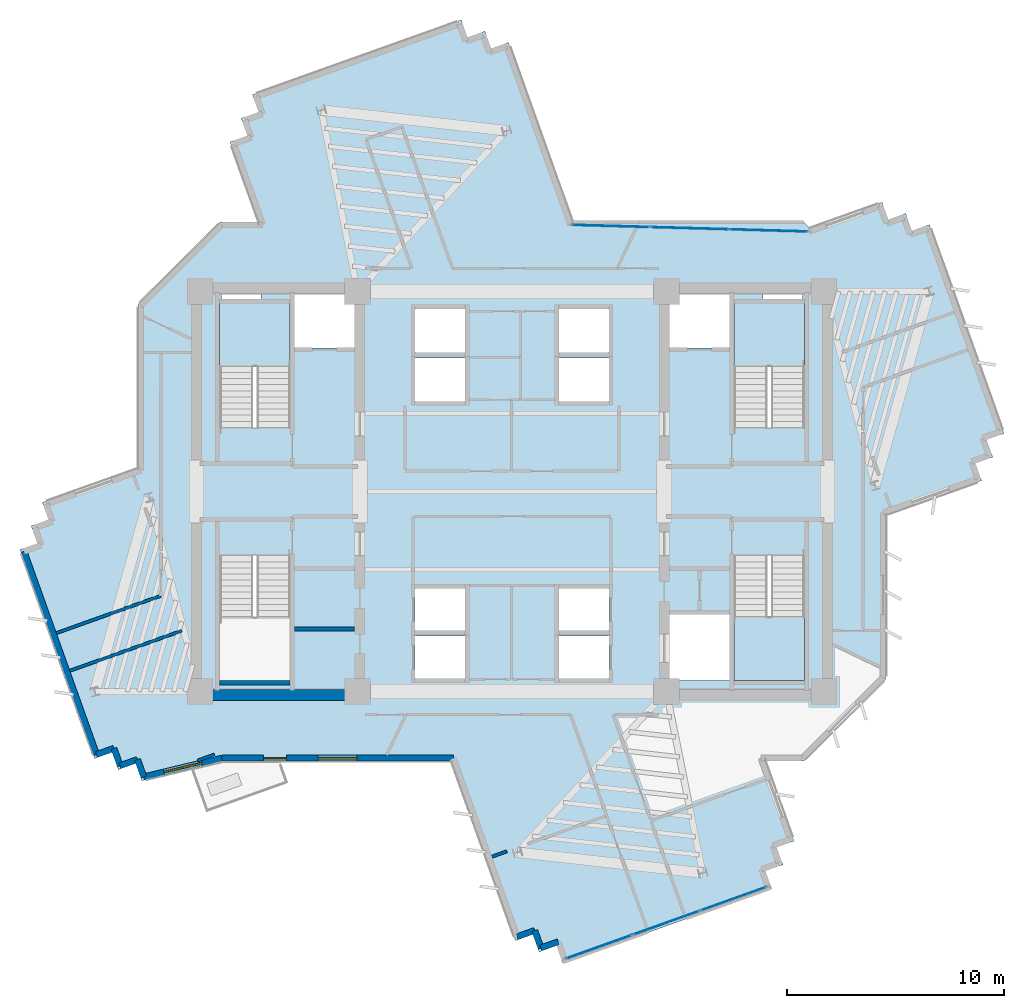
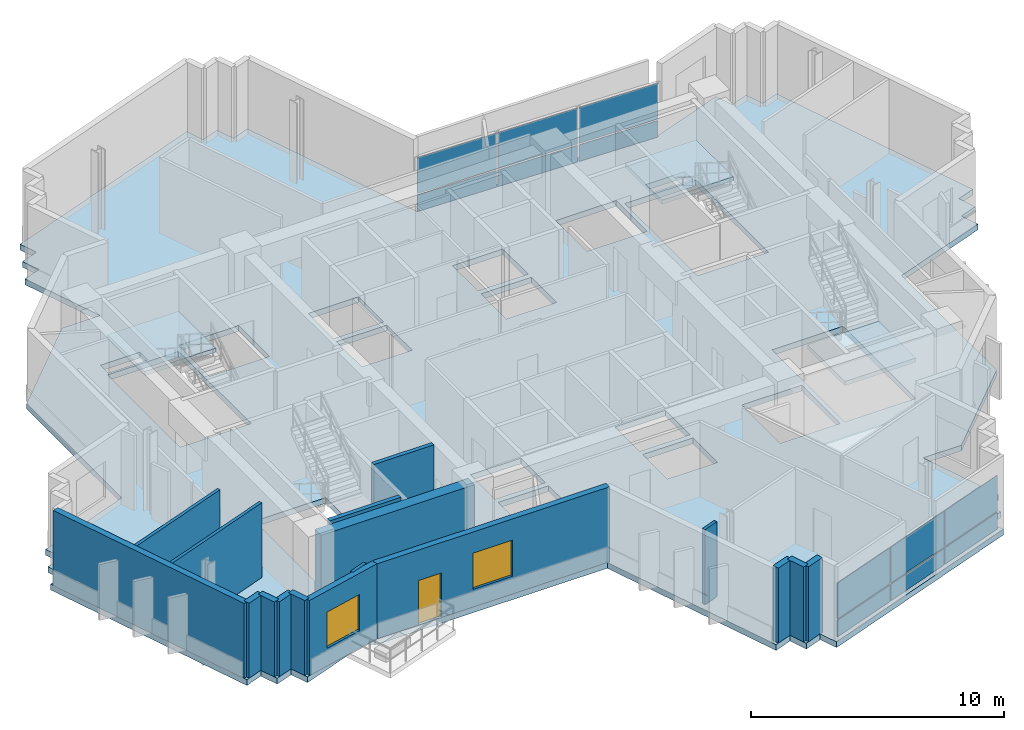
# One storey, part 5 of 13: 17 walls, 12 plates, 4 slabs, 2 windows, 1 door, 3 openings, 5 elements without a shape of their own.
"""IFC4 building model written with IfcOpenShell, lengths in metres."""

from ifc_helpers import new_model, si_unit, direction, frame, frame_2d, origin, origin_2d, place, context, subcontext, project, spatial, polyline, rectangle, outline, extrude, source, transform, mapped, material, layer, layer_set, type_object, element, fill, aggregate, save


model = new_model("IFC4")

# Units and contexts
model_context = context("Model", 3, precision=1e-05, world=origin(), true_north=direction((0.0, 1.0)))
body_context = subcontext(model_context, "Body", "Model", "MODEL_VIEW")
ifc_project = project(units=[si_unit("LENGTHUNIT", "METRE"), si_unit("AREAUNIT", "SQUARE_METRE"), si_unit("VOLUMEUNIT", "CUBIC_METRE"), si_unit("PLANEANGLEUNIT", "RADIAN"), si_unit("MASSUNIT", "GRAM", prefix="KILO")], contexts=[model_context])

# Site, building, storey
site_placement = place(None, origin())
site = spatial("IfcSite", under=ifc_project, at=site_placement, CompositionType="ELEMENT")
building_placement = place(site_placement, origin())
building = spatial("IfcBuilding", under=site, at=building_placement, Name="Zahravan Cultural Tower", CompositionType="ELEMENT")
storey_placement = place(building_placement, frame((0.0, 0.0, 221.39990234375)))
storey = spatial("IfcBuildingStorey", under=building, at=storey_placement, Name="L52", CompositionType="ELEMENT", Elevation=221.39990234375)

# Slab
ifc_material_1 = material(Name="Concrete C45/55", Category="concrete")
ifc_layer_1 = layer(ifc_material_1, 0.280029296875)
ifc_layer_set_1 = layer_set([ifc_layer_1], Name="Concrete C45/55")
slab_type_1 = type_object("IfcSlabType", Name="SL-LIB-280", PredefinedType="FLOOR", material=ifc_layer_set_1)
slab_1_placement = place(storey_placement, frame((0.0, 0.0, -0.27978515625)))
element("IfcSlab", 1, at=slab_1_placement, inside=storey, type_object=slab_type_1, Name="L52 Structural Floor Slab", PredefinedType="FLOOR", context=body_context, shape_type="SweptSolid", body=[
    extrude(outline(polyline([(49.68701171875, 39.113037109375), (49.39990234375, 39.39990234375), (38.78955078125, 39.39990234375), (35.840576171875, 47.65087890625), (35.040283203125, 47.364990234375), (34.754150390625, 48.165283203125), (33.95361328125, 47.87939453125), (33.667724609375, 48.6796875), (24.062744140625, 45.246826171875), (24.3486328125, 44.446533203125), (23.54833984375, 44.160400390625), (23.83447265625, 43.360107421875), (23.033935546875, 43.073974609375), (24.34716796875, 39.39990234375), (22.60009765625, 39.39990234375), (18.800048828125, 35.60009765625), (18.800048828125, 28.073974609375), (14.4072265625, 26.504150390625), (14.693359375, 25.70361328125), (13.89306640625, 25.41748046875), (14.178955078125, 24.6171875), (13.378662109375, 24.3310546875), (16.811279296875, 14.72607421875), (17.61181640625, 15.01220703125), (17.89794921875, 14.2119140625), (18.6982421875, 14.497802734375), (18.984375, 13.697509765625), (22.31298828125, 14.886962890625), (22.60009765625, 14.60009765625), (33.21044921875, 14.60009765625), (36.159423828125, 6.34912109375), (36.959716796875, 6.635009765625), (37.245849609375, 5.834716796875), (38.04638671875, 6.12060546875), (38.332275390625, 5.3203125), (47.937255859375, 8.753173828125), (47.6513671875, 9.553466796875), (48.45166015625, 9.839599609375), (48.16552734375, 10.639892578125), (48.966064453125, 10.926025390625), (47.65283203125, 14.60009765625), (49.39990234375, 14.60009765625), (53.199951171875, 18.39990234375), (53.199951171875, 25.926025390625), (57.5927734375, 27.495849609375), (57.306640625, 28.29638671875), (58.10693359375, 28.58251953125), (57.821044921875, 29.3828125), (58.621337890625, 29.6689453125), (55.188720703125, 39.27392578125), (54.38818359375, 38.98779296875), (54.10205078125, 39.7880859375), (53.3017578125, 39.502197265625), (53.015625, 40.302490234375), (49.68701171875, 39.113037109375)]), holes=[polyline([(22.550048828125, 29.949951171875), (22.550048828125, 35.699951171875), (25.800048828125, 35.699951171875), (25.800048828125, 29.949951171875), (22.550048828125, 29.949951171875)]), polyline([(22.550048828125, 18.300048828125), (22.550048828125, 24.050048828125), (25.800048828125, 24.050048828125), (25.800048828125, 18.300048828125), (22.550048828125, 18.300048828125)]), polyline([(46.199951171875, 29.949951171875), (46.199951171875, 35.699951171875), (49.449951171875, 35.699951171875), (49.449951171875, 29.949951171875), (46.199951171875, 29.949951171875)]), polyline([(46.199951171875, 18.300048828125), (46.199951171875, 24.050048828125), (49.449951171875, 24.050048828125), (49.449951171875, 18.300048828125), (46.199951171875, 18.300048828125)]), polyline([(26.0, 33.60009765625), (26.0, 36.050048828125), (28.75, 36.050048828125), (28.75, 33.60009765625), (26.0, 33.60009765625)]), polyline([(43.25, 33.60009765625), (43.25, 36.050048828125), (46.0, 36.050048828125), (46.0, 33.60009765625), (43.25, 33.60009765625)]), polyline([(43.25, 18.300048828125), (43.25, 21.35009765625), (46.0, 21.35009765625), (46.0, 18.300048828125), (43.25, 18.300048828125)]), polyline([(31.550048828125, 33.39990234375), (31.550048828125, 35.39990234375), (33.85009765625, 35.39990234375), (33.85009765625, 33.39990234375), (31.550048828125, 33.39990234375)]), polyline([(31.550048828125, 31.14990234375), (31.550048828125, 33.14990234375), (33.85009765625, 33.14990234375), (33.85009765625, 31.14990234375), (31.550048828125, 31.14990234375)]), polyline([(38.14990234375, 33.39990234375), (38.14990234375, 35.39990234375), (40.449951171875, 35.39990234375), (40.449951171875, 33.39990234375), (38.14990234375, 33.39990234375)]), polyline([(38.14990234375, 31.14990234375), (38.14990234375, 33.14990234375), (40.449951171875, 33.14990234375), (40.449951171875, 31.14990234375), (38.14990234375, 31.14990234375)]), polyline([(31.550048828125, 20.60009765625), (31.550048828125, 22.550048828125), (33.85009765625, 22.550048828125), (33.85009765625, 20.60009765625), (31.550048828125, 20.60009765625)]), polyline([(31.550048828125, 18.39990234375), (31.550048828125, 20.35009765625), (33.85009765625, 20.35009765625), (33.85009765625, 18.39990234375), (31.550048828125, 18.39990234375)]), polyline([(38.14990234375, 20.60009765625), (38.14990234375, 22.550048828125), (40.449951171875, 22.550048828125), (40.449951171875, 20.60009765625), (38.14990234375, 20.60009765625)]), polyline([(38.14990234375, 18.39990234375), (38.14990234375, 20.35009765625), (40.449951171875, 20.35009765625), (40.449951171875, 18.39990234375), (38.14990234375, 18.39990234375)]), polyline([(22.64990234375, 35.800048828125), (22.64990234375, 36.419921875), (24.449951171875, 36.419921875), (24.449951171875, 35.800048828125), (22.64990234375, 35.800048828125)]), polyline([(47.550048828125, 35.800048828125), (47.550048828125, 36.419921875), (49.35009765625, 36.419921875), (49.35009765625, 35.800048828125), (47.550048828125, 35.800048828125)])]), origin(), (0.0, 0.0, 1.0), 0.27978515625),
])

# Stair, slab
stair_type = type_object("IfcStairType", Name="STR-DL-1550-390", PredefinedType="HALF_TURN_STAIR", material=ifc_material_1)
stair_1_placement = place(storey_placement, origin())
stair_1 = element("IfcStair", 2, at=stair_1_placement, inside=storey, type_object=stair_type, Name="L52 West Core North Exit Stair ST-W1", PredefinedType="HALF_TURN_STAIR")
ifc_layer_2 = layer(ifc_material_1, 0.199951171875)
ifc_layer_set_2 = layer_set([ifc_layer_2], Name="Concrete C45/55")
slab_type_2 = type_object("IfcSlabType", Name="SL-STAIR-LND200", PredefinedType="LANDING", material=ifc_layer_set_2)
slab_2_placement = place(storey_placement, frame((0.0, 0.0, 1.75)))
slab_2 = element("IfcSlab", 3, at=slab_2_placement, type_object=slab_type_2, Name="ST-W1 landing 1", PredefinedType="LANDING", context=body_context, shape_type="SweptSolid", body=[
    extrude(outline(polyline([(25.800048828125, 32.75), (25.800048828125, 35.699951171875), (22.550048828125, 35.699951171875), (22.550048828125, 32.75), (25.800048828125, 32.75)])), origin(), (0.0, 0.0, 1.0), 0.2001953125),
])
aggregate(stair_1, [slab_2])

stair_2_placement = place(storey_placement, origin())
stair_2 = element("IfcStair", 4, at=stair_2_placement, inside=storey, type_object=stair_type, Name="L52 East Core North Exit Stair ST-E1", PredefinedType="HALF_TURN_STAIR")
slab_3_placement = place(storey_placement, frame((0.0, 0.0, 1.75)))
slab_3 = element("IfcSlab", 5, at=slab_3_placement, type_object=slab_type_2, Name="ST-E1 landing 1", PredefinedType="LANDING", context=body_context, shape_type="SweptSolid", body=[
    extrude(outline(polyline([(49.449951171875, 32.75), (49.449951171875, 35.699951171875), (46.199951171875, 35.699951171875), (46.199951171875, 32.75), (49.449951171875, 32.75)])), origin(), (0.0, 0.0, 1.0), 0.2001953125),
])
aggregate(stair_2, [slab_3])

stair_3_placement = place(storey_placement, origin())
stair_3 = element("IfcStair", 6, at=stair_3_placement, inside=storey, type_object=stair_type, Name="L52 East Core South Exit Stair ST-E2", PredefinedType="HALF_TURN_STAIR")
slab_4_placement = place(storey_placement, frame((0.0, 0.0, 1.75)))
slab_4 = element("IfcSlab", 7, at=slab_4_placement, type_object=slab_type_2, Name="ST-E2 landing 1", PredefinedType="LANDING", context=body_context, shape_type="SweptSolid", body=[
    extrude(outline(polyline([(46.199951171875, 21.25), (46.199951171875, 18.300048828125), (49.449951171875, 18.300048828125), (49.449951171875, 21.25), (46.199951171875, 21.25)])), origin(), (0.0, 0.0, 1.0), 0.2001953125),
])
aggregate(stair_3, [slab_4])

# Curtain wall, plates
ifc_material_2 = material(Name="Anodised bronze-aluminium mullion", Category="aluminium")
ifc_layer_3 = layer(ifc_material_2, 0.199951171875)
ifc_layer_set_3 = layer_set([ifc_layer_3], Name="Anodised bronze-aluminium mullion")
curtain_wall_type_1 = type_object("IfcCurtainWallType", Name="CW-SYS-2", PredefinedType="USERDEFINED", material=ifc_layer_set_3)
curtain_wall_1_placement = place(storey_placement, origin())
curtain_wall_1 = element("IfcCurtainWall", 8, at=curtain_wall_1_placement, inside=storey, type_object=curtain_wall_type_1, Name="L52 Recessed Curtain Wall CW-2.1", ObjectType="RECESSED GLAZING", PredefinedType="USERDEFINED")
ifc_material_3 = material(Name="Low-E solar-control double glazing", Category="glass")
ifc_layer_4 = layer(ifc_material_3, 0.030029296875)
ifc_layer_set_4 = layer_set([ifc_layer_4], Name="Low-E solar-control double glazing")
plate_type_1 = type_object("IfcPlateType", Name="CWP-CW-2", PredefinedType="CURTAIN_PANEL", material=ifc_layer_set_4)
shared_shape_1 = source(origin(), body_context, "Body", "SweptSolid", [
    extrude(rectangle(XDim=3.194091796875, YDim=0.030029296875, at=origin_2d()), origin(), (0.0, 0.0, 1.0), 0.78759765625),
])
plate_1_placement = place(storey_placement, frame((46.183837890625, 8.275146484375, 0.074951171875), z_axis=(0.0, 0.0, 1.0), x_axis=(-0.941668907727, -0.336540737832, 0.0)))
plate_1 = element("IfcPlate", 9, at=plate_1_placement, type_object=plate_type_1, Name="CW-2 panel 1.1", PredefinedType="CURTAIN_PANEL", context=body_context, shape_type="MappedRepresentation", body=[
    mapped(shared_shape_1, transform((0.0, 0.0, 0.0), x_axis=(1.0, 0.0, 0.0), y_axis=(0.0, 1.0, 0.0), z_axis=(0.0, 0.0, 1.0), scale=1.0)),
])
plate_2_placement = place(storey_placement, frame((39.991455078125, 6.06201171875, 0.074951171875), z_axis=(0.0, 0.0, 1.0), x_axis=(-0.941668907727, -0.336540737832, 0.0)))
plate_2 = element("IfcPlate", 10, at=plate_2_placement, type_object=plate_type_1, Name="CW-2 panel 3.1", PredefinedType="CURTAIN_PANEL", context=body_context, shape_type="MappedRepresentation", body=[
    mapped(shared_shape_1, transform((0.0, 0.0, 0.0), x_axis=(1.0, 0.0, 0.0), y_axis=(0.0, 1.0, 0.0), z_axis=(0.0, 0.0, 1.0), scale=1.0)),
])
shared_shape_2 = source(origin(), body_context, "Body", "SweptSolid", [
    extrude(rectangle(XDim=3.231689453125, YDim=0.030029296875, at=origin_2d()), origin(), (0.0, 0.0, 1.0), 0.78759765625),
])
plate_3_placement = place(storey_placement, frame((43.087646484375, 7.16845703125, 0.074951171875), z_axis=(0.0, 0.0, 1.0), x_axis=(-0.941668907727, -0.336540737832, 0.0)))
plate_3 = element("IfcPlate", 11, at=plate_3_placement, type_object=plate_type_1, Name="CW-2 panel 2.1", PredefinedType="CURTAIN_PANEL", context=body_context, shape_type="MappedRepresentation", body=[
    mapped(shared_shape_2, transform((0.0, 0.0, 0.0), x_axis=(1.0, 0.0, 0.0), y_axis=(0.0, 1.0, 0.0), z_axis=(0.0, 0.0, 1.0), scale=1.0)),
])
shared_shape_3 = source(origin(), body_context, "Body", "SweptSolid", [
    extrude(rectangle(XDim=3.194091796875, YDim=0.030029296875, at=origin_2d()), origin(), (0.0, 0.0, 1.0), 1.7275390625),
])
plate_4_placement = place(storey_placement, frame((46.183837890625, 8.275146484375, 0.9375), z_axis=(0.0, 0.0, 1.0), x_axis=(-0.941668907727, -0.336540737832, 0.0)))
plate_4 = element("IfcPlate", 12, at=plate_4_placement, type_object=plate_type_1, Name="CW-2 panel 1.2", PredefinedType="CURTAIN_PANEL", context=body_context, shape_type="MappedRepresentation", body=[
    mapped(shared_shape_3, transform((0.0, 0.0, 0.0), x_axis=(1.0, 0.0, 0.0), y_axis=(0.0, 1.0, 0.0), z_axis=(0.0, 0.0, 1.0), scale=1.0)),
])
plate_5_placement = place(storey_placement, frame((39.991455078125, 6.06201171875, 0.9375), z_axis=(0.0, 0.0, 1.0), x_axis=(-0.941668907727, -0.336540737832, 0.0)))
plate_5 = element("IfcPlate", 13, at=plate_5_placement, type_object=plate_type_1, Name="CW-2 panel 3.2", PredefinedType="CURTAIN_PANEL", context=body_context, shape_type="MappedRepresentation", body=[
    mapped(shared_shape_3, transform((0.0, 0.0, 0.0), x_axis=(1.0, 0.0, 0.0), y_axis=(0.0, 1.0, 0.0), z_axis=(0.0, 0.0, 1.0), scale=1.0)),
])
shared_shape_4 = source(origin(), body_context, "Body", "SweptSolid", [
    extrude(rectangle(XDim=3.231689453125, YDim=0.030029296875, at=origin_2d()), origin(), (0.0, 0.0, 1.0), 1.7275390625),
])
plate_6_placement = place(storey_placement, frame((43.087646484375, 7.16845703125, 0.9375), z_axis=(0.0, 0.0, 1.0), x_axis=(-0.941668907727, -0.336540737832, 0.0)))
plate_6 = element("IfcPlate", 14, at=plate_6_placement, type_object=plate_type_1, Name="CW-2 panel 2.2", PredefinedType="CURTAIN_PANEL", context=body_context, shape_type="MappedRepresentation", body=[
    mapped(shared_shape_4, transform((0.0, 0.0, 0.0), x_axis=(1.0, 0.0, 0.0), y_axis=(0.0, 1.0, 0.0), z_axis=(0.0, 0.0, 1.0), scale=1.0)),
])
aggregate(curtain_wall_1, [plate_1, plate_4, plate_3, plate_6, plate_2, plate_5])

ifc_layer_5 = layer(ifc_material_2, 0.179931640625)
ifc_layer_set_5 = layer_set([ifc_layer_5], Name="Anodised bronze-aluminium mullion")
curtain_wall_type_2 = type_object("IfcCurtainWallType", Name="CW-SYS-3", PredefinedType="USERDEFINED", material=ifc_layer_set_5)
curtain_wall_2_placement = place(storey_placement, origin())
curtain_wall_2 = element("IfcCurtainWall", 15, at=curtain_wall_2_placement, inside=storey, type_object=curtain_wall_type_2, Name="L52 Recessed Curtain Wall CW-3.2", ObjectType="RECESSED GLAZING", PredefinedType="USERDEFINED")
ifc_layer_6 = layer(ifc_material_3, 0.028076171875)
ifc_layer_set_6 = layer_set([ifc_layer_6], Name="Low-E solar-control double glazing")
plate_type_2 = type_object("IfcPlateType", Name="CWP-CW-3", PredefinedType="CURTAIN_PANEL", material=ifc_layer_set_6)
shared_shape_5 = source(origin(), body_context, "Body", "SweptSolid", [
    extrude(rectangle(XDim=3.5498046875, YDim=0.028076171875, at=origin_2d()), origin(), (0.0, 0.0, 1.0), 0.794921875),
])
plate_7_placement = place(storey_placement, frame((40.534912109375, 39.2080078125, 0.070068359375), z_axis=(0.0, 0.0, 1.0), x_axis=(0.999603557974, -0.028155405977, 0.0)))
plate_7 = element("IfcPlate", 16, at=plate_7_placement, type_object=plate_type_2, Name="CW-3 panel 1.1", PredefinedType="CURTAIN_PANEL", context=body_context, shape_type="MappedRepresentation", body=[
    mapped(shared_shape_5, transform((0.0, 0.0, 0.0), x_axis=(1.0, 0.0, 0.0), y_axis=(0.0, 1.0, 0.0), z_axis=(0.0, 0.0, 1.0), scale=1.0)),
])
plate_8_placement = place(storey_placement, frame((47.806640625, 39.003173828125, 0.070068359375), z_axis=(0.0, 0.0, 1.0), x_axis=(0.999603557974, -0.028155405977, 0.0)))
plate_8 = element("IfcPlate", 17, at=plate_8_placement, type_object=plate_type_2, Name="CW-3 panel 3.1", PredefinedType="CURTAIN_PANEL", context=body_context, shape_type="MappedRepresentation", body=[
    mapped(shared_shape_5, transform((0.0, 0.0, 0.0), x_axis=(1.0, 0.0, 0.0), y_axis=(0.0, 1.0, 0.0), z_axis=(0.0, 0.0, 1.0), scale=1.0)),
])
shared_shape_6 = source(origin(), body_context, "Body", "SweptSolid", [
    extrude(rectangle(XDim=3.5498046875, YDim=0.028076171875, at=origin_2d()), origin(), (0.0, 0.0, 1.0), 1.735107421875),
])
plate_9_placement = place(storey_placement, frame((40.534912109375, 39.2080078125, 0.93505859375), z_axis=(0.0, 0.0, 1.0), x_axis=(0.999603557974, -0.028155405977, 0.0)))
plate_9 = element("IfcPlate", 18, at=plate_9_placement, type_object=plate_type_2, Name="CW-3 panel 1.2", PredefinedType="CURTAIN_PANEL", context=body_context, shape_type="MappedRepresentation", body=[
    mapped(shared_shape_6, transform((0.0, 0.0, 0.0), x_axis=(1.0, 0.0, 0.0), y_axis=(0.0, 1.0, 0.0), z_axis=(0.0, 0.0, 1.0), scale=1.0)),
])
plate_10_placement = place(storey_placement, frame((47.806640625, 39.003173828125, 0.93505859375), z_axis=(0.0, 0.0, 1.0), x_axis=(0.999603557974, -0.028155405977, 0.0)))
plate_10 = element("IfcPlate", 19, at=plate_10_placement, type_object=plate_type_2, Name="CW-3 panel 3.2", PredefinedType="CURTAIN_PANEL", context=body_context, shape_type="MappedRepresentation", body=[
    mapped(shared_shape_6, transform((0.0, 0.0, 0.0), x_axis=(1.0, 0.0, 0.0), y_axis=(0.0, 1.0, 0.0), z_axis=(0.0, 0.0, 1.0), scale=1.0)),
])
shared_shape_7 = source(origin(), body_context, "Body", "SweptSolid", [
    extrude(rectangle(XDim=3.584716796875, YDim=0.028076171875, at=origin_2d()), origin(), (0.0, 0.0, 1.0), 0.794921875),
])
plate_11_placement = place(storey_placement, frame((44.1708984375, 39.105712890625, 0.070068359375), z_axis=(0.0, 0.0, 1.0), x_axis=(0.999603557974, -0.028155405977, 0.0)))
plate_11 = element("IfcPlate", 20, at=plate_11_placement, type_object=plate_type_2, Name="CW-3 panel 2.1", PredefinedType="CURTAIN_PANEL", context=body_context, shape_type="MappedRepresentation", body=[
    mapped(shared_shape_7, transform((0.0, 0.0, 0.0), x_axis=(1.0, 0.0, 0.0), y_axis=(0.0, 1.0, 0.0), z_axis=(0.0, 0.0, 1.0), scale=1.0)),
])
shared_shape_8 = source(origin(), body_context, "Body", "SweptSolid", [
    extrude(rectangle(XDim=3.584716796875, YDim=0.028076171875, at=origin_2d()), origin(), (0.0, 0.0, 1.0), 1.735107421875),
])
plate_12_placement = place(storey_placement, frame((44.1708984375, 39.105712890625, 0.93505859375), z_axis=(0.0, 0.0, 1.0), x_axis=(0.999603557974, -0.028155405977, 0.0)))
plate_12 = element("IfcPlate", 21, at=plate_12_placement, type_object=plate_type_2, Name="CW-3 panel 2.2", PredefinedType="CURTAIN_PANEL", context=body_context, shape_type="MappedRepresentation", body=[
    mapped(shared_shape_8, transform((0.0, 0.0, 0.0), x_axis=(1.0, 0.0, 0.0), y_axis=(0.0, 1.0, 0.0), z_axis=(0.0, 0.0, 1.0), scale=1.0)),
])
aggregate(curtain_wall_2, [plate_7, plate_9, plate_11, plate_12, plate_8, plate_10])

# Wall, openings, door, window
ifc_material_4 = material(Name="Precast concrete C40/50", Category="concrete")
ifc_layer_7 = layer(ifc_material_4, 0.280029296875)
ifc_layer_set_7 = layer_set([ifc_layer_7], Name="Precast concrete C40/50")
wall_type_1 = type_object("IfcWallType", Name="EW-TC-280", PredefinedType="SOLIDWALL", material=ifc_layer_set_7)
wall_1_placement = place(storey_placement, frame((33.30908203125, 14.739990234375, 0.0), z_axis=(0.0, 0.0, 1.0), x_axis=(-1.0, 0.0, 0.0)))
wall_1 = element("IfcWall", 22, at=wall_1_placement, inside=storey, type_object=wall_type_1, Name="L52 Exterior Masonry Frame Wall 25", PredefinedType="SOLIDWALL", context=body_context, shape_type="SweptSolid", body=[
    extrude(rectangle(XDim=10.651123046875, YDim=0.280029296875, at=frame_2d((5.32568359375, 0.0))), origin(), (0.0, 0.0, 1.0), 3.6201171875),
])
opening_1_placement = place(wall_1_placement, frame((7.680908203125, 0.0, 0.0)))
opening_1 = element("IfcOpeningElement", 23, at=opening_1_placement, cuts=wall_1, Name="Opening D-L52-TR-SW", PredefinedType="OPENING", context=body_context, shape_type="SweptSolid", body=[
    extrude(rectangle(XDim=1.050048828125, YDim=2.14990234375, at=frame_2d((0.52490234375, 1.074951171875))), frame((0.0, 0.14990234375, 0.0), z_axis=(0.0, -1.0, 0.0), x_axis=(1.0, 0.0, 0.0)), (0.0, 0.0, 1.0), 0.300048828125),
])
opening_2_placement = place(wall_1_placement, frame((4.426025390625, 0.0, 0.85009765625)))
opening_2 = element("IfcOpeningElement", 24, at=opening_2_placement, cuts=wall_1, Name="Opening WN-02", PredefinedType="OPENING", context=body_context, shape_type="SweptSolid", body=[
    extrude(rectangle(XDim=1.800048828125, YDim=1.75, at=frame_2d((0.89990234375, 0.875))), frame((0.0, 0.14990234375, 0.0), z_axis=(0.0, -1.0, 0.0), x_axis=(1.0, 0.0, 0.0)), (0.0, 0.0, 1.0), 0.300048828125),
])
door_type = type_object("IfcDoorType", Name="DR-TERR-1050", OperationType="NOTDEFINED", PredefinedType="DOOR", material=ifc_material_2)
shared_shape_9 = source(origin(), body_context, "Body", "SweptSolid", [
    extrude(rectangle(XDim=1.050048828125, YDim=2.14990234375, at=frame_2d((0.52490234375, 1.074951171875))), frame((0.0, 0.02490234375, 0.0), z_axis=(0.0, -1.0, 0.0), x_axis=(1.0, 0.0, 0.0)), (0.0, 0.0, 1.0), 0.050048828125),
])
door_placement = place(opening_1_placement, origin())
door = element("IfcDoor", 25, at=door_placement, inside=storey, type_object=door_type, Name="L52 Terrace Access Door SW", OperationType="SINGLE_SWING_LEFT", OverallHeight=2.14990234375, OverallWidth=1.050048828125, PredefinedType="DOOR", context=body_context, shape_type="MappedRepresentation", body=[
    mapped(shared_shape_9, transform((0.0, 0.0, 0.0), x_axis=(1.0, 0.0, 0.0), y_axis=(0.0, 1.0, 0.0), z_axis=(0.0, 0.0, 1.0), scale=1.0)),
])
fill(opening_1, door)
window_type = type_object("IfcWindowType", Name="WN-REC-1800X1750", PartitioningType="DOUBLE_PANEL_VERTICAL", PredefinedType="WINDOW", material=ifc_material_3)
shared_shape_10 = source(origin(), body_context, "Body", "SweptSolid", [
    extrude(rectangle(XDim=1.800048828125, YDim=1.75, at=frame_2d((0.89990234375, 0.875))), frame((0.0, 0.030029296875, 0.0), z_axis=(0.0, -1.0, 0.0), x_axis=(1.0, 0.0, 0.0)), (0.0, 0.0, 1.0), 0.06005859375),
])
window_1_placement = place(opening_2_placement, origin())
window_1 = element("IfcWindow", 26, at=window_1_placement, inside=storey, type_object=window_type, Name="L52 Recessed Solar Window 06", OverallHeight=1.75, OverallWidth=1.800048828125, PartitioningType="DOUBLE_PANEL_VERTICAL", PredefinedType="WINDOW", context=body_context, shape_type="MappedRepresentation", body=[
    mapped(shared_shape_10, transform((0.0, 0.0, 0.0), x_axis=(1.0, 0.0, 0.0), y_axis=(0.0, 1.0, 0.0), z_axis=(0.0, 0.0, 1.0), scale=1.0)),
])
fill(opening_2, window_1)

# Wall, opening, window
wall_2_placement = place(storey_placement, frame((22.657958984375, 14.739990234375, 0.0), z_axis=(0.0, 0.0, 1.0), x_axis=(-0.972237013355, -0.233998268929, 0.0)))
wall_2 = element("IfcWall", 27, at=wall_2_placement, inside=storey, type_object=wall_type_1, Name="L52 Exterior Masonry Frame Wall 26", PredefinedType="SOLIDWALL", context=body_context, shape_type="SweptSolid", body=[
    extrude(rectangle(XDim=3.69140625, YDim=0.280029296875, at=frame_2d((1.845703125, 0.0))), origin(), (0.0, 0.0, 1.0), 3.6201171875),
])
opening_3_placement = place(wall_2_placement, frame((0.946044921875, 0.0, 0.85009765625)))
opening_3 = element("IfcOpeningElement", 28, at=opening_3_placement, cuts=wall_2, Name="Opening WN-02", PredefinedType="OPENING", context=body_context, shape_type="SweptSolid", body=[
    extrude(rectangle(XDim=1.800048828125, YDim=1.75, at=frame_2d((0.89990234375, 0.875))), frame((0.0, 0.14990234375, 0.0), z_axis=(0.0, -1.0, 0.0), x_axis=(1.0, 0.0, 0.0)), (0.0, 0.0, 1.0), 0.300048828125),
])
window_2_placement = place(opening_3_placement, origin())
window_2 = element("IfcWindow", 29, at=window_2_placement, inside=storey, type_object=window_type, Name="L52 Recessed Solar Window 07", OverallHeight=1.75, OverallWidth=1.800048828125, PartitioningType="DOUBLE_PANEL_VERTICAL", PredefinedType="WINDOW", context=body_context, shape_type="MappedRepresentation", body=[
    mapped(shared_shape_10, transform((0.0, 0.0, 0.0), x_axis=(1.0, 0.0, 0.0), y_axis=(0.0, 1.0, 0.0), z_axis=(0.0, 0.0, 1.0), scale=1.0)),
])
fill(opening_3, window_2)

# Walls
ifc_material_5 = material(Name="Concrete C60/75", Category="concrete")
ifc_layer_8 = layer(ifc_material_5, 0.5)
ifc_layer_set_8 = layer_set([ifc_layer_8], Name="Concrete C60/75")
wall_type_2 = type_object("IfcWallType", Name="CW-SHEAR-500-C60", PredefinedType="SHEAR", material=ifc_layer_set_8)
shared_shape_11 = source(origin(), body_context, "Body", "SweptSolid", [
    extrude(rectangle(XDim=7.0, YDim=0.5, at=frame_2d((3.5, 0.0))), origin(), (0.0, 0.0, 1.0), 3.6201171875),
])
wall_3_placement = place(storey_placement, frame((21.75, 17.64990234375, 0.0), z_axis=(0.0, 0.0, 1.0), x_axis=(1.0, 0.0, 0.0)))
element("IfcWall", 30, at=wall_3_placement, inside=storey, type_object=wall_type_2, Name="L52 Core Shear Wall CW-W-S-L52", PredefinedType="SHEAR", context=body_context, shape_type="MappedRepresentation", body=[
    mapped(shared_shape_11, transform((0.0, 0.0, 0.0), x_axis=(1.0, 0.0, 0.0), y_axis=(0.0, 1.0, 0.0), z_axis=(0.0, 0.0, 1.0), scale=1.0)),
])
shared_shape_12 = source(origin(), body_context, "Body", "SweptSolid", [
    extrude(rectangle(XDim=0.85009765625, YDim=0.280029296875, at=frame_2d((0.425048828125, 0.0))), origin(), (0.0, 0.0, 1.0), 3.6201171875),
])
for number, where, z_axis, x_axis, name in (
    (31, (38.131103515625, 6.2998046875, 0.0), (0.0, 0.0, 1.0), (-0.941657417713, -0.336572886112, 0.0), "L52 Exterior Masonry Frame Wall 21"),
    (32, (17.696533203125, 15.191162109375, 0.0), (0.0, 0.0, 1.0), (-0.941657417713, -0.336572886112, 0.0), "L52 Exterior Masonry Frame Wall 30"),
):
    element("IfcWall", number, at=place(storey_placement, frame(where, z_axis=z_axis, x_axis=x_axis)), inside=storey, type_object=wall_type_1, Name=name, PredefinedType="SOLIDWALL", context=body_context, shape_type="MappedRepresentation", body=[
        mapped(shared_shape_12, transform((0.0, 0.0, 0.0), x_axis=(1.0, 0.0, 0.0), y_axis=(0.0, 1.0, 0.0), z_axis=(0.0, 0.0, 1.0), scale=1.0)),
    ])
shared_shape_13 = source(origin(), body_context, "Body", "SweptSolid", [
    extrude(rectangle(XDim=0.849853515625, YDim=0.280029296875, at=frame_2d((0.4248046875, 0.0))), origin(), (0.0, 0.0, 1.0), 3.6201171875),
])
for number, where, z_axis, x_axis, name in (
    (33, (37.33056640625, 6.013671875, 0.0), (0.0, 0.0, 1.0), (-0.33666392638, 0.941624872587, 0.0), "L52 Exterior Masonry Frame Wall 22"),
    (34, (37.04443359375, 6.81396484375, 0.0), (0.0, 0.0, 1.0), (-0.941624872587, -0.33666392638, 0.0), "L52 Exterior Masonry Frame Wall 23"),
    (35, (18.782958984375, 14.677001953125, 0.0), (0.0, 0.0, 1.0), (-0.941624872587, -0.33666392638, 0.0), "L52 Exterior Masonry Frame Wall 28"),
    (36, (17.982666015625, 14.390869140625, 0.0), (0.0, 0.0, 1.0), (-0.33666392638, 0.941624872587, 0.0), "L52 Exterior Masonry Frame Wall 29"),
):
    element("IfcWall", number, at=place(storey_placement, frame(where, z_axis=z_axis, x_axis=x_axis)), inside=storey, type_object=wall_type_1, Name=name, PredefinedType="SOLIDWALL", context=body_context, shape_type="MappedRepresentation", body=[
        mapped(shared_shape_13, transform((0.0, 0.0, 0.0), x_axis=(1.0, 0.0, 0.0), y_axis=(0.0, 1.0, 0.0), z_axis=(0.0, 0.0, 1.0), scale=1.0)),
    ])
shared_shape_14 = source(origin(), body_context, "Body", "SweptSolid", [
    extrude(rectangle(XDim=9.919921875, YDim=0.280029296875, at=frame_2d((4.9599609375, 0.0))), origin(), (0.0, 0.0, 1.0), 3.6201171875),
])
wall_4_placement = place(storey_placement, frame((16.89599609375, 14.905029296875, 0.0), z_axis=(0.0, 0.0, 1.0), x_axis=(-0.336532833412, 0.941671732631, 0.0)))
element("IfcWall", 37, at=wall_4_placement, inside=storey, type_object=wall_type_1, Name="L52 Exterior Masonry Frame Wall 31", PredefinedType="SOLIDWALL", context=body_context, shape_type="MappedRepresentation", body=[
    mapped(shared_shape_14, transform((0.0, 0.0, 0.0), x_axis=(1.0, 0.0, 0.0), y_axis=(0.0, 1.0, 0.0), z_axis=(0.0, 0.0, 1.0), scale=1.0)),
])
shared_shape_15 = source(origin(), body_context, "Body", "SweptSolid", [
    extrude(rectangle(XDim=0.850341796875, YDim=0.280029296875, at=frame_2d((0.42529296875, 0.0))), origin(), (0.0, 0.0, 1.0), 3.6201171875),
])
wall_5_placement = place(storey_placement, frame((19.069091796875, 13.876220703125, 0.0), z_axis=(0.0, 0.0, 1.0), x_axis=(-0.336481891926, 0.941689936447, 0.0)))
element("IfcWall", 38, at=wall_5_placement, inside=storey, type_object=wall_type_1, Name="L52 Exterior Masonry Frame Wall 27", PredefinedType="SOLIDWALL", context=body_context, shape_type="MappedRepresentation", body=[
    mapped(shared_shape_15, transform((0.0, 0.0, 0.0), x_axis=(1.0, 0.0, 0.0), y_axis=(0.0, 1.0, 0.0), z_axis=(0.0, 0.0, 1.0), scale=1.0)),
])
ifc_layer_9 = layer(ifc_material_1, 0.199951171875)
ifc_layer_set_9 = layer_set([ifc_layer_9], Name="Concrete C45/55")
wall_type_3 = type_object("IfcWallType", Name="W-SHAFT-200", PredefinedType="SOLIDWALL", material=ifc_layer_set_9)
shared_shape_16 = source(origin(), body_context, "Body", "SweptSolid", [
    extrude(rectangle(XDim=3.25, YDim=0.199951171875, at=frame_2d((1.625, 0.0))), origin(), (0.0, 0.0, 1.0), 3.6201171875),
])
wall_6_placement = place(storey_placement, frame((22.550048828125, 18.199951171875, 0.0), z_axis=(0.0, 0.0, 1.0), x_axis=(1.0, 0.0, 0.0)))
element("IfcWall", 39, at=wall_6_placement, inside=storey, type_object=wall_type_3, Name="L52 Interior Wall 019", PredefinedType="SOLIDWALL", context=body_context, shape_type="MappedRepresentation", body=[
    mapped(shared_shape_16, transform((0.0, 0.0, 0.0), x_axis=(1.0, 0.0, 0.0), y_axis=(0.0, 1.0, 0.0), z_axis=(0.0, 0.0, 1.0), scale=1.0)),
])
ifc_material_6 = material(Name="Gypsum plasterboard partition")
ifc_layer_10 = layer(ifc_material_6, 0.179931640625)
ifc_layer_set_10 = layer_set([ifc_layer_10], Name="Gypsum plasterboard partition")
wall_type_4 = type_object("IfcWallType", Name="W-COMP-180", PredefinedType="PARTITIONING", material=ifc_layer_set_10)
shared_shape_17 = source(origin(), body_context, "Body", "SweptSolid", [
    extrude(rectangle(XDim=2.75, YDim=0.179931640625, at=frame_2d((1.375, 0.0))), origin(), (0.0, 0.0, 1.0), 3.6201171875),
])
wall_7_placement = place(storey_placement, frame((26.0, 20.679931640625, 0.0), z_axis=(0.0, 0.0, 1.0), x_axis=(1.0, 0.0, 0.0)))
element("IfcWall", 40, at=wall_7_placement, inside=storey, type_object=wall_type_4, Name="L52 Interior Wall 026", PredefinedType="PARTITIONING", context=body_context, shape_type="MappedRepresentation", body=[
    mapped(shared_shape_17, transform((0.0, 0.0, 0.0), x_axis=(1.0, 0.0, 0.0), y_axis=(0.0, 1.0, 0.0), z_axis=(0.0, 0.0, 1.0), scale=1.0)),
])
ifc_layer_11 = layer(ifc_material_6, 0.139892578125)
ifc_layer_set_11 = layer_set([ifc_layer_11], Name="Gypsum plasterboard partition")
wall_type_5 = type_object("IfcWallType", Name="W-PART-140", PredefinedType="PARTITIONING", material=ifc_layer_set_11)
shared_shape_18 = source(origin(), body_context, "Body", "SweptSolid", [
    extrude(rectangle(XDim=0.72607421875, YDim=0.139892578125, at=frame_2d((0.363037109375, 0.0))), origin(), (0.0, 0.0, 1.0), 3.6201171875),
])
wall_8_placement = place(storey_placement, frame((35.08154296875, 10.211669921875, 0.0), z_axis=(0.0, 0.0, 1.0), x_axis=(0.941779940629, 0.33622989669, 0.0)))
element("IfcWall", 41, at=wall_8_placement, inside=storey, type_object=wall_type_5, Name="L52 Interior Wall 091", PredefinedType="PARTITIONING", context=body_context, shape_type="MappedRepresentation", body=[
    mapped(shared_shape_18, transform((0.0, 0.0, 0.0), x_axis=(1.0, 0.0, 0.0), y_axis=(0.0, 1.0, 0.0), z_axis=(0.0, 0.0, 1.0), scale=1.0)),
])
shared_shape_19 = source(origin(), body_context, "Body", "SweptSolid", [
    extrude(rectangle(XDim=5.09326171875, YDim=0.139892578125, at=frame_2d((2.546630859375, 0.0))), origin(), (0.0, 0.0, 1.0), 3.6201171875),
])
wall_9_placement = place(storey_placement, frame((19.849853515625, 22.205078125, 0.0), z_axis=(0.0, 0.0, 1.0), x_axis=(-0.941667058904, -0.336545910947, 0.0)))
element("IfcWall", 42, at=wall_9_placement, inside=storey, type_object=wall_type_5, Name="L52 Interior Wall 096", PredefinedType="PARTITIONING", context=body_context, shape_type="MappedRepresentation", body=[
    mapped(shared_shape_19, transform((0.0, 0.0, 0.0), x_axis=(1.0, 0.0, 0.0), y_axis=(0.0, 1.0, 0.0), z_axis=(0.0, 0.0, 1.0), scale=1.0)),
])
shared_shape_20 = source(origin(), body_context, "Body", "SweptSolid", [
    extrude(rectangle(XDim=5.47265625, YDim=0.139892578125, at=frame_2d((2.736328125, 0.0))), origin(), (0.0, 0.0, 1.0), 3.6201171875),
])
wall_10_placement = place(storey_placement, frame((15.673095703125, 18.75830078125, 0.0), z_axis=(0.0, 0.0, 1.0), x_axis=(0.941665179086, 0.336551170695, 0.0)))
element("IfcWall", 43, at=wall_10_placement, inside=storey, type_object=wall_type_5, Name="L52 Interior Wall 108", PredefinedType="PARTITIONING", context=body_context, shape_type="MappedRepresentation", body=[
    mapped(shared_shape_20, transform((0.0, 0.0, 0.0), x_axis=(1.0, 0.0, 0.0), y_axis=(0.0, 1.0, 0.0), z_axis=(0.0, 0.0, 1.0), scale=1.0)),
])
shared_shape_21 = source(origin(), body_context, "Body", "SweptSolid", [
    extrude(rectangle(XDim=0.8115234375, YDim=0.139892578125, at=frame_2d((0.40576171875, 0.0))), origin(), (0.0, 0.0, 1.0), 3.6201171875),
])
wall_11_placement = place(storey_placement, frame((22.31689453125, 14.905517578125, 0.0), z_axis=(0.0, 0.0, 1.0), x_axis=(-0.942047844385, -0.335478552057, 0.0)))
element("IfcWall", 44, at=wall_11_placement, inside=storey, type_object=wall_type_5, Name="L52 Interior Wall 107", PredefinedType="PARTITIONING", context=body_context, shape_type="MappedRepresentation", body=[
    mapped(shared_shape_21, transform((0.0, 0.0, 0.0), x_axis=(1.0, 0.0, 0.0), y_axis=(0.0, 1.0, 0.0), z_axis=(0.0, 0.0, 1.0), scale=1.0)),
])

save(model, "model.ifc")
